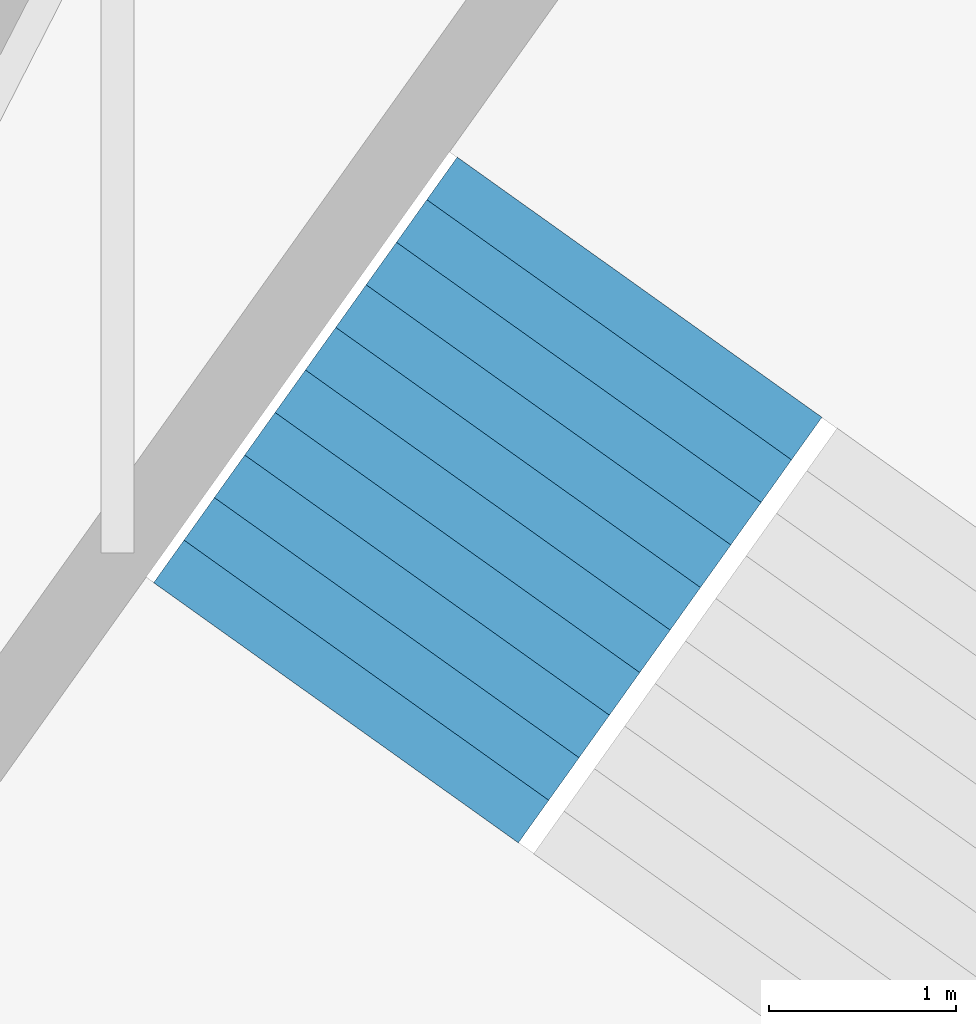
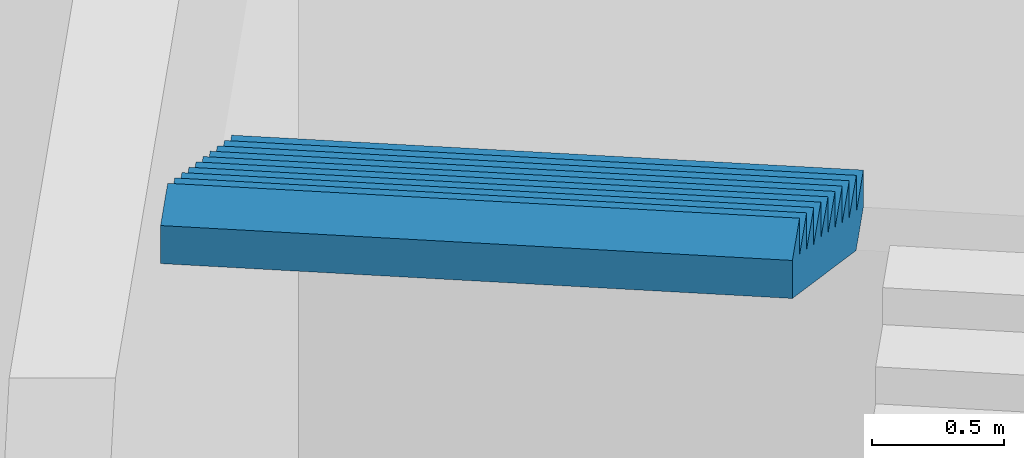
# One storey, part 72 of 73: 1 stair flight, 1 element without a shape of its own.
"""IFC4 building model written with IfcOpenShell, lengths in metres."""

from ifc_helpers import new_model, si_unit, direction, frame, origin, place, context, subcontext, project, spatial, triangles, material, type_object, element, aggregate, save


model = new_model("IFC4")

# Units and contexts
model_context = context("Model", 3, precision=1e-05, world=origin(), true_north=direction((0.0, 1.0)))
body_context = subcontext(model_context, "Body", "Model", "MODEL_VIEW")
ifc_project = project(units=[si_unit("LENGTHUNIT", "METRE"), si_unit("AREAUNIT", "SQUARE_METRE"), si_unit("VOLUMEUNIT", "CUBIC_METRE"), si_unit("PLANEANGLEUNIT", "RADIAN"), si_unit("MASSUNIT", "GRAM", prefix="KILO")], contexts=[model_context])

# Site, building, storey
site_placement = place(None, origin())
site = spatial("IfcSite", under=ifc_project, at=site_placement, CompositionType="ELEMENT")
building_placement = place(site_placement, origin())
building = spatial("IfcBuilding", under=site, at=building_placement, Name="Lantaw Convention Tower", CompositionType="ELEMENT")
storey_placement = place(building_placement, frame((0.0, 0.0, 14.5)))
storey = spatial("IfcBuildingStorey", under=building, at=storey_placement, Name="L02", CompositionType="ELEMENT", Elevation=14.5)

# Stair, stair flight
ifc_material = material(Name="Concrete C35/45", Category="concrete")
stair_type = type_object("IfcStairType", Name="Exit stair 2400 riser 170.45 in 4 flights", PredefinedType="HALF_TURN_STAIR", material=ifc_material)
stair_placement = place(storey_placement, origin())
stair = element("IfcStair", 1, at=stair_placement, inside=storey, type_object=stair_type, Name="Podium exit stair P4 L02", PredefinedType="HALF_TURN_STAIR")
stair_flight_type = type_object("IfcStairFlightType", Name="Stair flight 2400 riser 170.45", PredefinedType="STRAIGHT", material=ifc_material)
stair_flight_placement = place(storey_placement, frame((18.59619140625, 28.2236328125, 5.625), z_axis=(0.0, 0.0, 1.0), x_axis=(-0.580702955711, -0.814115518356, 0.0)))
stair_flight = element("IfcStairFlight", 2, at=stair_flight_placement, type_object=stair_flight_type, Name="P4 flight 4", NumberOfRisers=11, NumberOfTreads=10, PredefinedType="STRAIGHT", RiserHeight=0.170454545, TreadLength=0.28, context=body_context, shape_type="Tessellation", body=[
    triangles([(0.0, 1.199951171875, 0.0), (0.0, 1.199951171875, 0.170454545), (0.28, 1.199951171875, 0.0), (0.28, 1.199951171875, 0.170454545), (0.28, 1.199951171875, 0.34090909), (0.28827876332691904, 1.199951171875, 0.0), (0.28827876332691904, 1.199951171875, 0.34090909), (0.56, 1.199951171875, 0.16541471344266906), (0.56, 1.199951171875, 0.34090909), (0.56, 1.199951171875, 0.511363635), (0.8400000000000001, 1.199951171875, 0.335869258442669), (0.8400000000000001, 1.199951171875, 0.511363635), (0.8400000000000001, 1.199951171875, 0.68181818), (1.12, 1.199951171875, 0.506323803442669), (1.12, 1.199951171875, 0.68181818), (1.12, 1.199951171875, 0.8522727250000001), (1.4000000000000001, 1.199951171875, 0.676778348442669), (1.4000000000000001, 1.199951171875, 0.8522727250000001), (1.4000000000000001, 1.199951171875, 1.02272727), (1.6800000000000002, 1.199951171875, 0.847232893442669), (1.6800000000000002, 1.199951171875, 1.02272727), (1.6800000000000002, 1.199951171875, 1.193181815), (1.9600000000000002, 1.199951171875, 1.017687438442669), (1.9600000000000002, 1.199951171875, 1.193181815), (1.9600000000000002, 1.199951171875, 1.36363636), (2.24, 1.199951171875, 1.188141983442669), (2.24, 1.199951171875, 1.36363636), (2.24, 1.199951171875, 1.5340909050000002), (2.5200000000000005, 1.199951171875, 1.358596528442669), (2.5200000000000005, 1.199951171875, 1.5340909050000002), (2.5200000000000005, 1.199951171875, 1.7045454500000001), (2.8000000000000003, 1.199951171875, 1.529051073442669), (2.8000000000000003, 1.199951171875, 1.7045454500000001), (0.0, -1.199951171875, 0.0), (0.0, -1.199951171875, 0.170454545), (0.28, -1.199951171875, 0.0), (0.28, -1.199951171875, 0.170454545), (0.28, -1.199951171875, 0.34090909), (0.28827876332691904, -1.199951171875, 0.0), (0.28827876332691904, -1.199951171875, 0.34090909), (0.56, -1.199951171875, 0.16541471344266906), (0.56, -1.199951171875, 0.34090909), (0.56, -1.199951171875, 0.511363635), (0.8400000000000001, -1.199951171875, 0.335869258442669), (0.8400000000000001, -1.199951171875, 0.511363635), (0.8400000000000001, -1.199951171875, 0.68181818), (1.12, -1.199951171875, 0.506323803442669), (1.12, -1.199951171875, 0.68181818), (1.12, -1.199951171875, 0.8522727250000001), (1.4000000000000001, -1.199951171875, 0.676778348442669), (1.4000000000000001, -1.199951171875, 0.8522727250000001), (1.4000000000000001, -1.199951171875, 1.02272727), (1.6800000000000002, -1.199951171875, 0.847232893442669), (1.6800000000000002, -1.199951171875, 1.02272727), (1.6800000000000002, -1.199951171875, 1.193181815), (1.9600000000000002, -1.199951171875, 1.017687438442669), (1.9600000000000002, -1.199951171875, 1.193181815), (1.9600000000000002, -1.199951171875, 1.36363636), (2.24, -1.199951171875, 1.188141983442669), (2.24, -1.199951171875, 1.36363636), (2.24, -1.199951171875, 1.5340909050000002), (2.5200000000000005, -1.199951171875, 1.358596528442669), (2.5200000000000005, -1.199951171875, 1.5340909050000002), (2.5200000000000005, -1.199951171875, 1.7045454500000001), (2.8000000000000003, -1.199951171875, 1.529051073442669), (2.8000000000000003, -1.199951171875, 1.7045454500000001), (0.0, 0.239990234375, 0.170454545), (0.0, 0.239990234375, 0.0), (0.0, 0.1199951171875, 0.170454545), (0.0, 0.1199951171875, 0.0), (0.0, 0.0, 0.170454545), (0.0, 0.0, 0.0), (0.0, -0.1199951171875, 0.170454545), (0.0, -0.1199951171875, 0.0), (0.0, -0.239990234375, 0.170454545), (0.0, -0.239990234375, 0.0), (0.28, 0.239990234375, 0.34090909), (0.28, 0.239990234375, 0.170454545), (0.28, 0.1199951171875, 0.34090909), (0.28, 0.1199951171875, 0.170454545), (0.28, 0.0, 0.34090909), (0.28, 0.0, 0.170454545), (0.28, -0.1199951171875, 0.34090909), (0.28, -0.1199951171875, 0.170454545), (0.28, -0.239990234375, 0.34090909), (0.28, -0.239990234375, 0.170454545), (0.56, 0.239990234375, 0.511363635), (0.56, 0.239990234375, 0.34090909), (0.56, 0.1199951171875, 0.511363635), (0.56, 0.1199951171875, 0.34090909), (0.56, 0.0, 0.511363635), (0.56, 0.0, 0.34090909), (0.56, -0.1199951171875, 0.511363635), (0.56, -0.1199951171875, 0.34090909), (0.56, -0.239990234375, 0.511363635), (0.56, -0.239990234375, 0.34090909), (0.8400000000000001, 0.239990234375, 0.68181818), (0.8400000000000001, 0.239990234375, 0.511363635), (0.8400000000000001, 0.1199951171875, 0.68181818), (0.8400000000000001, 0.1199951171875, 0.511363635), (0.8400000000000001, 0.0, 0.68181818), (0.8400000000000001, 0.0, 0.511363635), (0.8400000000000001, -0.1199951171875, 0.68181818), (0.8400000000000001, -0.1199951171875, 0.511363635), (0.8400000000000001, -0.239990234375, 0.68181818), (0.8400000000000001, -0.239990234375, 0.511363635), (1.12, 0.239990234375, 0.8522727250000001), (1.12, 0.239990234375, 0.68181818), (1.12, 0.1199951171875, 0.8522727250000001), (1.12, 0.1199951171875, 0.68181818), (1.12, 0.0, 0.8522727250000001), (1.12, 0.0, 0.68181818), (1.12, -0.1199951171875, 0.8522727250000001), (1.12, -0.1199951171875, 0.68181818), (1.12, -0.239990234375, 0.8522727250000001), (1.12, -0.239990234375, 0.68181818), (1.4000000000000001, 0.239990234375, 1.02272727), (1.4000000000000001, 0.239990234375, 0.8522727250000001), (1.4000000000000001, 0.1199951171875, 1.02272727), (1.4000000000000001, 0.1199951171875, 0.8522727250000001), (1.4000000000000001, 0.0, 1.02272727), (1.4000000000000001, 0.0, 0.8522727250000001), (1.4000000000000001, -0.1199951171875, 1.02272727), (1.4000000000000001, -0.1199951171875, 0.8522727250000001), (1.4000000000000001, -0.239990234375, 1.02272727), (1.4000000000000001, -0.239990234375, 0.8522727250000001), (1.6800000000000002, 0.239990234375, 1.193181815), (1.6800000000000002, 0.239990234375, 1.02272727), (1.6800000000000002, 0.1199951171875, 1.193181815), (1.6800000000000002, 0.1199951171875, 1.02272727), (1.6800000000000002, 0.0, 1.193181815), (1.6800000000000002, 0.0, 1.02272727), (1.6800000000000002, -0.1199951171875, 1.193181815), (1.6800000000000002, -0.1199951171875, 1.02272727), (1.6800000000000002, -0.239990234375, 1.193181815), (1.6800000000000002, -0.239990234375, 1.02272727), (1.9600000000000002, 0.239990234375, 1.36363636), (1.9600000000000002, 0.239990234375, 1.193181815), (1.9600000000000002, 0.1199951171875, 1.36363636), (1.9600000000000002, 0.1199951171875, 1.193181815), (1.9600000000000002, 0.0, 1.36363636), (1.9600000000000002, 0.0, 1.193181815), (1.9600000000000002, -0.1199951171875, 1.36363636), (1.9600000000000002, -0.1199951171875, 1.193181815), (1.9600000000000002, -0.239990234375, 1.36363636), (1.9600000000000002, -0.239990234375, 1.193181815), (2.24, 0.239990234375, 1.5340909050000002), (2.24, 0.239990234375, 1.36363636), (2.24, 0.1199951171875, 1.5340909050000002), (2.24, 0.1199951171875, 1.36363636), (2.24, 0.0, 1.5340909050000002), (2.24, 0.0, 1.36363636), (2.24, -0.1199951171875, 1.5340909050000002), (2.24, -0.1199951171875, 1.36363636), (2.24, -0.239990234375, 1.5340909050000002), (2.24, -0.239990234375, 1.36363636), (2.5200000000000005, 0.239990234375, 1.7045454500000001), (2.5200000000000005, 0.239990234375, 1.5340909050000002), (2.5200000000000005, 0.1199951171875, 1.7045454500000001), (2.5200000000000005, 0.1199951171875, 1.5340909050000002), (2.5200000000000005, 0.0, 1.7045454500000001), (2.5200000000000005, 0.0, 1.5340909050000002), (2.5200000000000005, -0.1199951171875, 1.7045454500000001), (2.5200000000000005, -0.1199951171875, 1.5340909050000002), (2.5200000000000005, -0.239990234375, 1.7045454500000001), (2.5200000000000005, -0.239990234375, 1.5340909050000002), (0.28827876332691904, 0.239990234375, 0.34090909), (0.28827876332691904, 0.1199951171875, 0.34090909), (0.28827876332691904, 0.0, 0.34090909), (0.28827876332691904, -0.1199951171875, 0.34090909), (0.28827876332691904, -0.239990234375, 0.34090909), (2.8000000000000003, 0.239990234375, 1.7045454500000001), (2.8000000000000003, 0.1199951171875, 1.7045454500000001), (2.8000000000000003, 0.0, 1.7045454500000001), (2.8000000000000003, -0.1199951171875, 1.7045454500000001), (2.8000000000000003, -0.239990234375, 1.7045454500000001), (2.8000000000000003, 0.239990234375, 1.5290510734426692), (2.8000000000000003, 0.1199951171875, 1.5290510734426692), (2.8000000000000003, 0.0, 1.5290510734426692), (2.8000000000000003, -0.1199951171875, 1.5290510734426692), (2.8000000000000003, -0.239990234375, 1.5290510734426692), (2.5200000000000005, 0.239990234375, 1.358596528442669), (2.5200000000000005, 0.1199951171875, 1.358596528442669), (2.5200000000000005, 0.0, 1.358596528442669), (2.5200000000000005, -0.1199951171875, 1.358596528442669), (2.5200000000000005, -0.239990234375, 1.358596528442669), (2.24, 0.239990234375, 1.188141983442669), (2.24, 0.1199951171875, 1.188141983442669), (2.24, 0.0, 1.188141983442669), (2.24, -0.1199951171875, 1.188141983442669), (2.24, -0.239990234375, 1.188141983442669), (1.9600000000000002, 0.239990234375, 1.017687438442669), (1.9600000000000002, 0.1199951171875, 1.017687438442669), (1.9600000000000002, 0.0, 1.017687438442669), (1.9600000000000002, -0.1199951171875, 1.017687438442669), (1.9600000000000002, -0.239990234375, 1.017687438442669), (1.6800000000000002, 0.239990234375, 0.847232893442669), (1.6800000000000002, 0.1199951171875, 0.847232893442669), (1.6800000000000002, 0.0, 0.847232893442669), (1.6800000000000002, -0.1199951171875, 0.847232893442669), (1.6800000000000002, -0.239990234375, 0.847232893442669), (1.4000000000000001, 0.239990234375, 0.676778348442669), (1.4000000000000001, 0.1199951171875, 0.676778348442669), (1.4000000000000001, 0.0, 0.676778348442669), (1.4000000000000001, -0.1199951171875, 0.676778348442669), (1.4000000000000001, -0.239990234375, 0.676778348442669), (1.12, 0.239990234375, 0.506323803442669), (1.12, 0.1199951171875, 0.506323803442669), (1.12, 0.0, 0.506323803442669), (1.12, -0.1199951171875, 0.506323803442669), (1.12, -0.239990234375, 0.506323803442669), (0.8400000000000001, 0.239990234375, 0.335869258442669), (0.8400000000000001, 0.1199951171875, 0.335869258442669), (0.8400000000000001, 0.0, 0.335869258442669), (0.8400000000000001, -0.1199951171875, 0.335869258442669), (0.8400000000000001, -0.239990234375, 0.335869258442669), (0.56, 0.239990234375, 0.16541471344266906), (0.56, 0.1199951171875, 0.16541471344266906), (0.56, 0.0, 0.16541471344266906), (0.56, -0.1199951171875, 0.16541471344266906), (0.56, -0.239990234375, 0.16541471344266906), (0.28827876332691904, 0.239990234375, 0.0), (0.28827876332691904, 0.1199951171875, 0.0), (0.28827876332691904, 0.0, 0.0), (0.28827876332691904, -0.1199951171875, 0.0), (0.28827876332691904, -0.239990234375, 0.0), (0.28, 0.239990234375, 0.0), (0.28, 0.1199951171875, 0.0), (0.28, 0.0, 0.0), (0.28, -0.1199951171875, 0.0), (0.28, -0.239990234375, 0.0)], [[1, 4, 3], [1, 2, 4], [3, 4, 6], [4, 7, 6], [4, 5, 7], [6, 9, 8], [6, 7, 9], [8, 9, 11], [9, 12, 11], [9, 10, 12], [11, 12, 14], [12, 15, 14], [12, 13, 15], [14, 15, 17], [15, 18, 17], [15, 16, 18], [17, 18, 20], [18, 21, 20], [18, 19, 21], [20, 21, 23], [21, 24, 23], [21, 22, 24], [23, 24, 26], [24, 27, 26], [24, 25, 27], [26, 27, 29], [27, 30, 29], [27, 28, 30], [29, 30, 32], [30, 33, 32], [30, 31, 33], [34, 36, 37], [34, 37, 35], [36, 39, 37], [37, 39, 40], [37, 40, 38], [39, 41, 42], [39, 42, 40], [41, 44, 42], [42, 44, 45], [42, 45, 43], [44, 47, 45], [45, 47, 48], [45, 48, 46], [47, 50, 48], [48, 50, 51], [48, 51, 49], [50, 53, 51], [51, 53, 54], [51, 54, 52], [53, 56, 54], [54, 56, 57], [54, 57, 55], [56, 59, 57], [57, 59, 60], [57, 60, 58], [59, 62, 60], [60, 62, 63], [60, 63, 61], [62, 65, 63], [63, 65, 66], [63, 66, 64], [1, 67, 2], [1, 68, 67], [68, 69, 67], [68, 70, 69], [70, 71, 69], [70, 72, 71], [72, 73, 71], [72, 74, 73], [74, 75, 73], [74, 76, 75], [76, 35, 75], [76, 34, 35], [4, 77, 5], [4, 78, 77], [78, 79, 77], [78, 80, 79], [80, 81, 79], [80, 82, 81], [82, 83, 81], [82, 84, 83], [84, 85, 83], [84, 86, 85], [86, 38, 85], [86, 37, 38], [9, 87, 10], [9, 88, 87], [88, 89, 87], [88, 90, 89], [90, 91, 89], [90, 92, 91], [92, 93, 91], [92, 94, 93], [94, 95, 93], [94, 96, 95], [96, 43, 95], [96, 42, 43], [12, 97, 13], [12, 98, 97], [98, 99, 97], [98, 100, 99], [100, 101, 99], [100, 102, 101], [102, 103, 101], [102, 104, 103], [104, 105, 103], [104, 106, 105], [106, 46, 105], [106, 45, 46], [15, 107, 16], [15, 108, 107], [108, 109, 107], [108, 110, 109], [110, 111, 109], [110, 112, 111], [112, 113, 111], [112, 114, 113], [114, 115, 113], [114, 116, 115], [116, 49, 115], [116, 48, 49], [18, 117, 19], [18, 118, 117], [118, 119, 117], [118, 120, 119], [120, 121, 119], [120, 122, 121], [122, 123, 121], [122, 124, 123], [124, 125, 123], [124, 126, 125], [126, 52, 125], [126, 51, 52], [21, 127, 22], [21, 128, 127], [128, 129, 127], [128, 130, 129], [130, 131, 129], [130, 132, 131], [132, 133, 131], [132, 134, 133], [134, 135, 133], [134, 136, 135], [136, 55, 135], [136, 54, 55], [24, 137, 25], [24, 138, 137], [138, 139, 137], [138, 140, 139], [140, 141, 139], [140, 142, 141], [142, 143, 141], [142, 144, 143], [144, 145, 143], [144, 146, 145], [146, 58, 145], [146, 57, 58], [27, 147, 28], [27, 148, 147], [148, 149, 147], [148, 150, 149], [150, 151, 149], [150, 152, 151], [152, 153, 151], [152, 154, 153], [154, 155, 153], [154, 156, 155], [156, 61, 155], [156, 60, 61], [30, 157, 31], [30, 158, 157], [158, 159, 157], [158, 160, 159], [160, 161, 159], [160, 162, 161], [162, 163, 161], [162, 164, 163], [164, 165, 163], [164, 166, 165], [166, 64, 165], [166, 63, 64], [2, 78, 4], [2, 67, 78], [67, 80, 78], [67, 69, 80], [69, 82, 80], [69, 71, 82], [71, 84, 82], [71, 73, 84], [73, 86, 84], [73, 75, 86], [75, 37, 86], [75, 35, 37], [5, 167, 7], [5, 77, 167], [77, 168, 167], [77, 79, 168], [79, 169, 168], [79, 81, 169], [81, 170, 169], [81, 83, 170], [83, 171, 170], [83, 85, 171], [85, 40, 171], [85, 38, 40], [7, 88, 9], [7, 167, 88], [167, 90, 88], [167, 168, 90], [168, 92, 90], [168, 169, 92], [169, 94, 92], [169, 170, 94], [170, 96, 94], [170, 171, 96], [171, 42, 96], [171, 40, 42], [10, 98, 12], [10, 87, 98], [87, 100, 98], [87, 89, 100], [89, 102, 100], [89, 91, 102], [91, 104, 102], [91, 93, 104], [93, 106, 104], [93, 95, 106], [95, 45, 106], [95, 43, 45], [13, 108, 15], [13, 97, 108], [97, 110, 108], [97, 99, 110], [99, 112, 110], [99, 101, 112], [101, 114, 112], [101, 103, 114], [103, 116, 114], [103, 105, 116], [105, 48, 116], [105, 46, 48], [16, 118, 18], [16, 107, 118], [107, 120, 118], [107, 109, 120], [109, 122, 120], [109, 111, 122], [111, 124, 122], [111, 113, 124], [113, 126, 124], [113, 115, 126], [115, 51, 126], [115, 49, 51], [19, 128, 21], [19, 117, 128], [117, 130, 128], [117, 119, 130], [119, 132, 130], [119, 121, 132], [121, 134, 132], [121, 123, 134], [123, 136, 134], [123, 125, 136], [125, 54, 136], [125, 52, 54], [22, 138, 24], [22, 127, 138], [127, 140, 138], [127, 129, 140], [129, 142, 140], [129, 131, 142], [131, 144, 142], [131, 133, 144], [133, 146, 144], [133, 135, 146], [135, 57, 146], [135, 55, 57], [25, 148, 27], [25, 137, 148], [137, 150, 148], [137, 139, 150], [139, 152, 150], [139, 141, 152], [141, 154, 152], [141, 143, 154], [143, 156, 154], [143, 145, 156], [145, 60, 156], [145, 58, 60], [28, 158, 30], [28, 147, 158], [147, 160, 158], [147, 149, 160], [149, 162, 160], [149, 151, 162], [151, 164, 162], [151, 153, 164], [153, 166, 164], [153, 155, 166], [155, 63, 166], [155, 61, 63], [31, 172, 33], [31, 157, 172], [157, 173, 172], [157, 159, 173], [159, 174, 173], [159, 161, 174], [161, 175, 174], [161, 163, 175], [163, 176, 175], [163, 165, 176], [165, 66, 176], [165, 64, 66], [33, 177, 32], [33, 172, 177], [172, 178, 177], [172, 173, 178], [173, 179, 178], [173, 174, 179], [174, 180, 179], [174, 175, 180], [175, 181, 180], [175, 176, 181], [176, 65, 181], [176, 66, 65], [32, 182, 29], [32, 177, 182], [177, 183, 182], [177, 178, 183], [178, 184, 183], [178, 179, 184], [179, 185, 184], [179, 180, 185], [180, 186, 185], [180, 181, 186], [181, 62, 186], [181, 65, 62], [29, 187, 26], [29, 182, 187], [182, 188, 187], [182, 183, 188], [183, 189, 188], [183, 184, 189], [184, 190, 189], [184, 185, 190], [185, 191, 190], [185, 186, 191], [186, 59, 191], [186, 62, 59], [26, 192, 23], [26, 187, 192], [187, 193, 192], [187, 188, 193], [188, 194, 193], [188, 189, 194], [189, 195, 194], [189, 190, 195], [190, 196, 195], [190, 191, 196], [191, 56, 196], [191, 59, 56], [23, 197, 20], [23, 192, 197], [192, 198, 197], [192, 193, 198], [193, 199, 198], [193, 194, 199], [194, 200, 199], [194, 195, 200], [195, 201, 200], [195, 196, 201], [196, 53, 201], [196, 56, 53], [20, 202, 17], [20, 197, 202], [197, 203, 202], [197, 198, 203], [198, 204, 203], [198, 199, 204], [199, 205, 204], [199, 200, 205], [200, 206, 205], [200, 201, 206], [201, 50, 206], [201, 53, 50], [17, 207, 14], [17, 202, 207], [202, 208, 207], [202, 203, 208], [203, 209, 208], [203, 204, 209], [204, 210, 209], [204, 205, 210], [205, 211, 210], [205, 206, 211], [206, 47, 211], [206, 50, 47], [14, 212, 11], [14, 207, 212], [207, 213, 212], [207, 208, 213], [208, 214, 213], [208, 209, 214], [209, 215, 214], [209, 210, 215], [210, 216, 215], [210, 211, 216], [211, 44, 216], [211, 47, 44], [11, 217, 8], [11, 212, 217], [212, 218, 217], [212, 213, 218], [213, 219, 218], [213, 214, 219], [214, 220, 219], [214, 215, 220], [215, 221, 220], [215, 216, 221], [216, 41, 221], [216, 44, 41], [8, 222, 6], [8, 217, 222], [217, 223, 222], [217, 218, 223], [218, 224, 223], [218, 219, 224], [219, 225, 224], [219, 220, 225], [220, 226, 225], [220, 221, 226], [221, 39, 226], [221, 41, 39], [6, 227, 3], [6, 222, 227], [222, 228, 227], [222, 223, 228], [223, 229, 228], [223, 224, 229], [224, 230, 229], [224, 225, 230], [225, 231, 230], [225, 226, 231], [226, 36, 231], [226, 39, 36], [3, 68, 1], [3, 227, 68], [227, 70, 68], [227, 228, 70], [228, 72, 70], [228, 229, 72], [229, 74, 72], [229, 230, 74], [230, 76, 74], [230, 231, 76], [231, 34, 76], [231, 36, 34]], closed=True),
])
aggregate(stair, [stair_flight])

save(model, "model.ifc")
